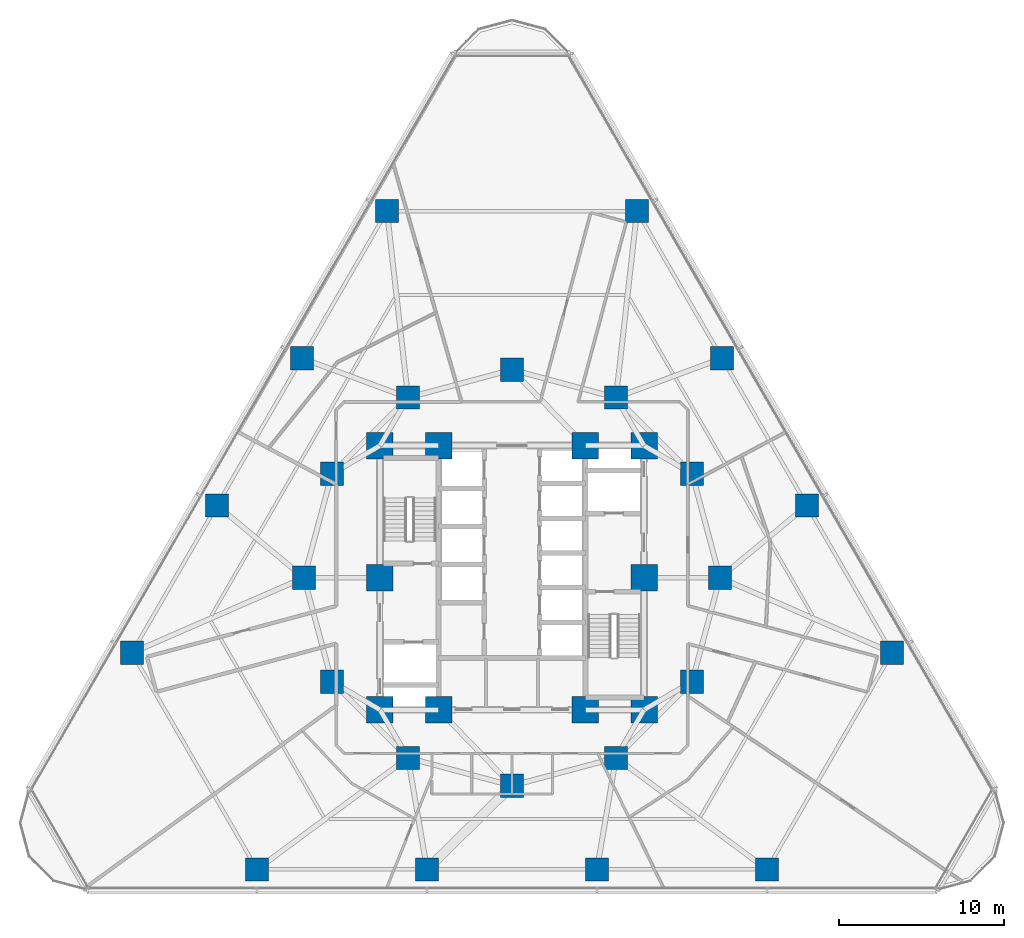
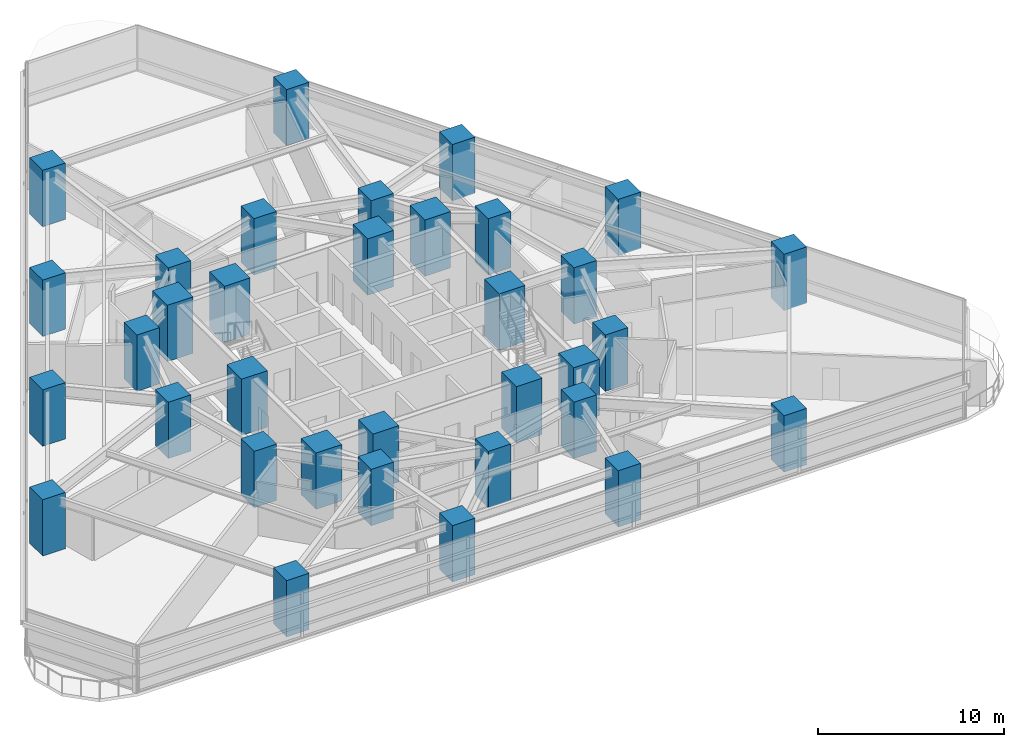
# One storey, part 1 of 16: 34 columns.
"""IFC4 building model written with IfcOpenShell, lengths in metres."""

from ifc_helpers import new_model, si_unit, direction, frame, origin, origin_2d, place, context, subcontext, project, spatial, rectangle, extrude, material, material_profile, profile_set, type_object, element, save


model = new_model("IFC4")

# Units and contexts
model_context = context("Model", 3, precision=1e-05, world=origin(), true_north=direction((0.0, 1.0)))
body_context = subcontext(model_context, "Body", "Model", "MODEL_VIEW")
ifc_project = project(units=[si_unit("LENGTHUNIT", "METRE"), si_unit("AREAUNIT", "SQUARE_METRE"), si_unit("VOLUMEUNIT", "CUBIC_METRE"), si_unit("PLANEANGLEUNIT", "RADIAN"), si_unit("MASSUNIT", "GRAM", prefix="KILO")], contexts=[model_context])

# Site, building, storey
site_placement = place(None, origin())
site = spatial("IfcSite", under=ifc_project, at=site_placement, CompositionType="ELEMENT")
building_placement = place(site_placement, origin())
building = spatial("IfcBuilding", under=site, at=building_placement, Name="Terralouvre Media Tower", CompositionType="ELEMENT")
storey_placement = place(building_placement, frame((0.0, 0.0, 40.800048828125)))
storey = spatial("IfcBuildingStorey", under=building, at=storey_placement, Name="L09", CompositionType="ELEMENT", Elevation=40.800048828125)

# Columns
ifc_material_1 = material(Name="Concrete C60/75", Category="concrete")
ifc_material_profile_1 = material_profile(ifc_material_1, rectangle(XDim=1.39990234375, YDim=1.39990234375, at=origin_2d()), Name="RC 1400x1400")
ifc_profile_set_1 = profile_set([ifc_material_profile_1], Name="Concrete C60/75")
column_type_1 = type_object("IfcColumnType", Name="Structural Column C-RC1400 (RC 1400x1400)", PredefinedType="COLUMN", material=ifc_profile_set_1)
for number, where, z_axis, x_axis, name in (
    (1, (12.60009765625, 0.0, 0.0), (0.0, 0.0, 1.0), (1.0, 0.0, 0.0), "L09 Mega-Frame Column MC01"),
    (2, (10.911865234375, 6.300048828125, 0.0), (0.0, 0.0, 1.0), (1.0, 0.0, 0.0), "L09 Mega-Frame Column MC02"),
    (3, (6.300048828125, 10.911865234375, 0.0), (0.0, 0.0, 1.0), (1.0, 0.0, 0.0), "L09 Mega-Frame Column MC03"),
    (4, (0.0, 12.60009765625, 0.0), (0.0, 0.0, 1.0), (1.0, 0.0, 0.0), "L09 Mega-Frame Column MC04"),
    (5, (-6.300048828125, 10.911865234375, 0.0), (0.0, 0.0, 1.0), (1.0, 0.0, 0.0), "L09 Mega-Frame Column MC05"),
    (6, (-10.911865234375, 6.300048828125, 0.0), (0.0, 0.0, 1.0), (1.0, 0.0, 0.0), "L09 Mega-Frame Column MC06"),
    (7, (-12.60009765625, 0.0, 0.0), (0.0, 0.0, 1.0), (1.0, 0.0, 0.0), "L09 Mega-Frame Column MC07"),
    (8, (-10.911865234375, -6.300048828125, 0.0), (0.0, 0.0, 1.0), (1.0, 0.0, 0.0), "L09 Mega-Frame Column MC08"),
    (9, (-6.300048828125, -10.911865234375, 0.0), (0.0, 0.0, 1.0), (1.0, 0.0, 0.0), "L09 Mega-Frame Column MC09"),
    (10, (0.0, -12.60009765625, 0.0), (0.0, 0.0, 1.0), (1.0, 0.0, 0.0), "L09 Mega-Frame Column MC10"),
    (11, (6.300048828125, -10.911865234375, 0.0), (0.0, 0.0, 1.0), (1.0, 0.0, 0.0), "L09 Mega-Frame Column MC11"),
    (12, (10.911865234375, -6.300048828125, 0.0), (0.0, 0.0, 1.0), (1.0, 0.0, 0.0), "L09 Mega-Frame Column MC12"),
    (13, (-15.449951171875, -17.666748046875, 0.0), (0.0, 0.0, 1.0), (1.0, 0.0, 0.0), "L09 Perimeter Mega-Column PC11"),
    (14, (-5.14990234375, -17.666748046875, 0.0), (0.0, 0.0, 1.0), (1.0, 0.0, 0.0), "L09 Perimeter Mega-Column PC12"),
    (15, (5.14990234375, -17.666748046875, 0.0), (0.0, 0.0, 1.0), (1.0, 0.0, 0.0), "L09 Perimeter Mega-Column PC13"),
    (16, (15.449951171875, -17.666748046875, 0.0), (0.0, 0.0, 1.0), (1.0, 0.0, 0.0), "L09 Perimeter Mega-Column PC14"),
    (17, (23.02490234375, -4.546630859375, 0.0), (0.0, 0.0, 1.0), (1.0, 0.0, 0.0), "L09 Perimeter Mega-Column PC21"),
    (18, (17.874755859375, 4.373291015625, 0.0), (0.0, 0.0, 1.0), (1.0, 0.0, 0.0), "L09 Perimeter Mega-Column PC22"),
    (19, (12.724853515625, 13.29345703125, 0.0), (0.0, 0.0, 1.0), (1.0, 0.0, 0.0), "L09 Perimeter Mega-Column PC23"),
    (20, (7.574951171875, 22.21337890625, 0.0), (0.0, 0.0, 1.0), (1.0, 0.0, 0.0), "L09 Perimeter Mega-Column PC24"),
    (21, (-7.574951171875, 22.21337890625, 0.0), (0.0, 0.0, 1.0), (1.0, 0.0, 0.0), "L09 Perimeter Mega-Column PC31"),
    (22, (-12.724853515625, 13.29345703125, 0.0), (0.0, 0.0, 1.0), (1.0, 0.0, 0.0), "L09 Perimeter Mega-Column PC32"),
    (23, (-17.874755859375, 4.373291015625, 0.0), (0.0, 0.0, 1.0), (1.0, 0.0, 0.0), "L09 Perimeter Mega-Column PC33"),
    (24, (-23.02490234375, -4.546630859375, 0.0), (0.0, 0.0, 1.0), (1.0, 0.0, 0.0), "L09 Perimeter Mega-Column PC34"),
):
    element("IfcColumn", number, at=place(storey_placement, frame(where, z_axis=z_axis, x_axis=x_axis)), inside=storey, type_object=column_type_1, Name=name, PredefinedType="COLUMN", context=body_context, shape_type="SweptSolid", body=[
        extrude(rectangle(XDim=1.39990234375, YDim=1.39990234375, at=origin_2d()), origin(), (0.0, 0.0, 1.0), 3.699951171875),
    ])
ifc_material_2 = material(Name="Concrete C60/75", Category="concrete")
ifc_material_profile_2 = material_profile(ifc_material_2, rectangle(XDim=1.60009765625, YDim=1.60009765625, at=origin_2d()), Name="RC 1600x1600")
ifc_profile_set_2 = profile_set([ifc_material_profile_2], Name="Concrete C60/75")
column_type_2 = type_object("IfcColumnType", Name="Structural Column C-RC1600 (RC 1600x1600)", PredefinedType="COLUMN", material=ifc_profile_set_2)
for number, where, z_axis, x_axis, name in (
    (25, (-8.0, -8.0, 0.0), (0.0, 0.0, 1.0), (1.0, 0.0, 0.0), "L09 Core Pilaster Column CP1"),
    (26, (-4.449951171875, -8.0, 0.0), (0.0, 0.0, 1.0), (1.0, 0.0, 0.0), "L09 Core Pilaster Column CP2"),
    (27, (4.449951171875, -8.0, 0.0), (0.0, 0.0, 1.0), (1.0, 0.0, 0.0), "L09 Core Pilaster Column CP10"),
    (28, (8.0, -8.0, 0.0), (0.0, 0.0, 1.0), (1.0, 0.0, 0.0), "L09 Core Pilaster Column CP3"),
    (29, (8.0, 0.0, 0.0), (0.0, 0.0, 1.0), (1.0, 0.0, 0.0), "L09 Core Pilaster Column CP4"),
    (30, (8.0, 8.0, 0.0), (0.0, 0.0, 1.0), (1.0, 0.0, 0.0), "L09 Core Pilaster Column CP5"),
    (31, (4.449951171875, 8.0, 0.0), (0.0, 0.0, 1.0), (1.0, 0.0, 0.0), "L09 Core Pilaster Column CP9"),
    (32, (-4.449951171875, 8.0, 0.0), (0.0, 0.0, 1.0), (1.0, 0.0, 0.0), "L09 Core Pilaster Column CP6"),
    (33, (-8.0, 8.0, 0.0), (0.0, 0.0, 1.0), (1.0, 0.0, 0.0), "L09 Core Pilaster Column CP7"),
    (34, (-8.0, 0.0, 0.0), (0.0, 0.0, 1.0), (1.0, 0.0, 0.0), "L09 Core Pilaster Column CP8"),
):
    element("IfcColumn", number, at=place(storey_placement, frame(where, z_axis=z_axis, x_axis=x_axis)), inside=storey, type_object=column_type_2, Name=name, PredefinedType="COLUMN", context=body_context, shape_type="SweptSolid", body=[
        extrude(rectangle(XDim=1.60009765625, YDim=1.60009765625, at=origin_2d()), origin(), (0.0, 0.0, 1.0), 3.699951171875),
    ])

save(model, "model.ifc")
